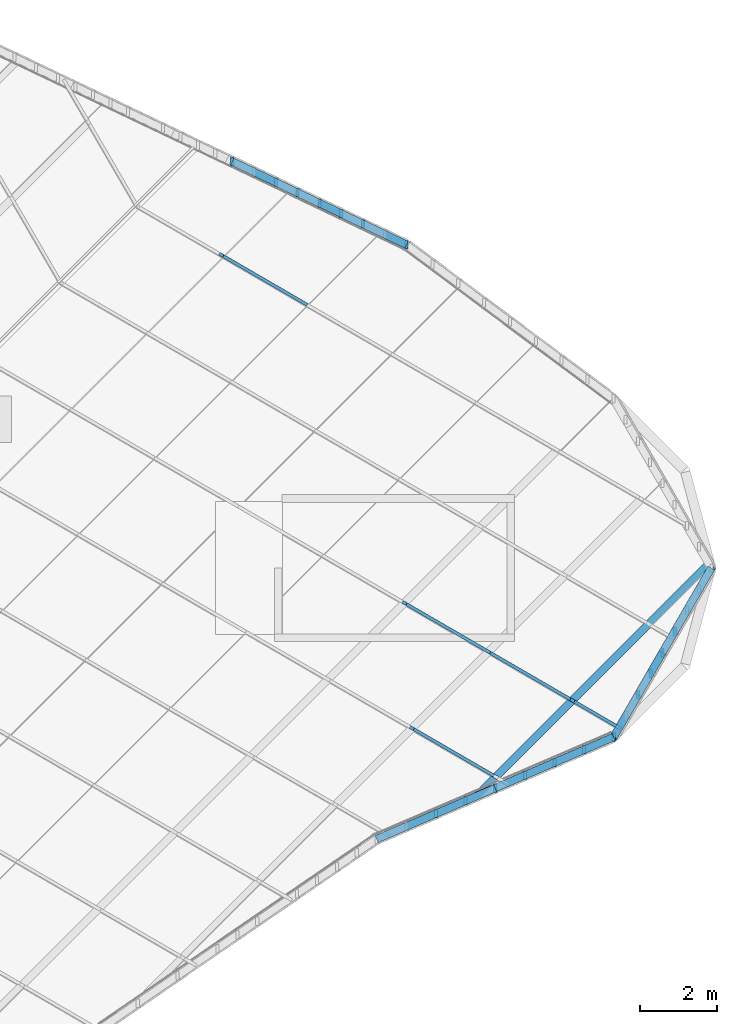
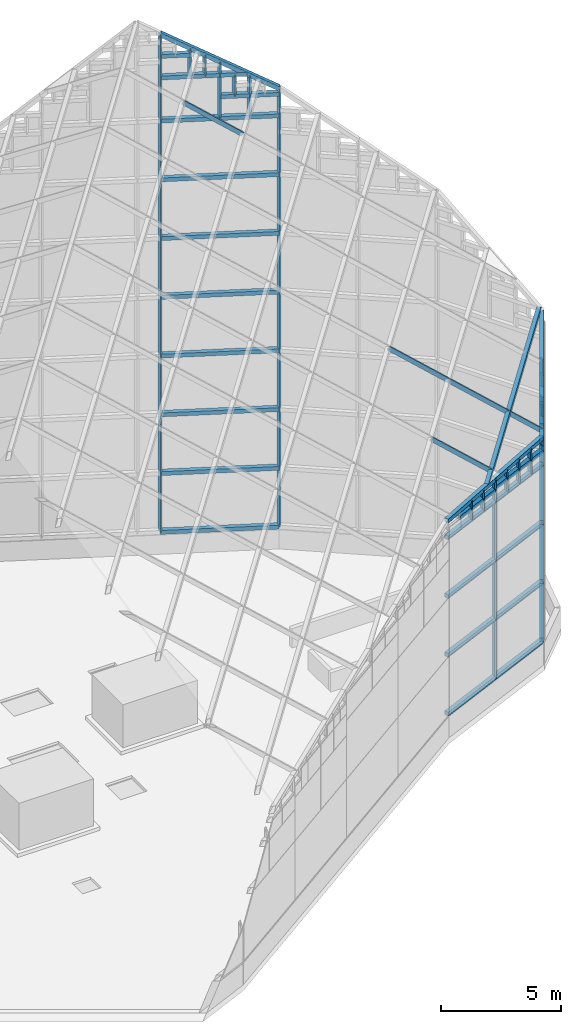
# One storey, part 6 of 29: 63 members, 1 element without a shape of its own.
"""IFC4 building model written with IfcOpenShell, lengths in metres."""

from ifc_helpers import new_model, si_unit, direction, frame, origin, origin_2d, place, context, subcontext, project, spatial, rectangle, extrude, material, material_profile, profile_set, type_object, element, aggregate, save


model = new_model("IFC4")

# Units and contexts
model_context = context("Model", 3, precision=1e-05, world=origin(), true_north=direction((0.0, 1.0)))
body_context = subcontext(model_context, "Body", "Model", "MODEL_VIEW")
ifc_project = project(units=[si_unit("LENGTHUNIT", "METRE"), si_unit("AREAUNIT", "SQUARE_METRE"), si_unit("VOLUMEUNIT", "CUBIC_METRE"), si_unit("PLANEANGLEUNIT", "RADIAN"), si_unit("MASSUNIT", "GRAM", prefix="KILO")], contexts=[model_context])

# Site, building, storey
site_placement = place(None, origin())
site = spatial("IfcSite", under=ifc_project, at=site_placement, CompositionType="ELEMENT")
building_placement = place(site_placement, origin())
building = spatial("IfcBuilding", under=site, at=building_placement, Name="Tanit Gate Tower", CompositionType="ELEMENT")
storey_placement = place(building_placement, frame((0.0, 0.0, 445.300048828125)))
storey = spatial("IfcBuildingStorey", under=building, at=storey_placement, Name="ROOF", CompositionType="ELEMENT", Elevation=445.300048828125)

# Curtain wall, members
ifc_material_1 = material(Name="Aluminium bronze anodised and glass", Category="aluminium")
curtain_wall_type = type_object("IfcCurtainWallType", Name="Curtain wall crown roof", PredefinedType="NOTDEFINED", material=ifc_material_1)
curtain_wall_placement = place(storey_placement, origin())
curtain_wall = element("IfcCurtainWall", 1, at=curtain_wall_placement, inside=storey, type_object=curtain_wall_type, Name="Crown lantern", PredefinedType="NOTDEFINED")
ifc_material_2 = material(Name="Aluminium bronze anodised", Category="aluminium")
ifc_material_profile_1 = material_profile(ifc_material_2, rectangle(XDim=0.080078125, YDim=0.219970703125, at=origin_2d()), Name="80x220 bronze rafter")
ifc_profile_set_1 = profile_set([ifc_material_profile_1], Name="Aluminium bronze anodised")
member_type_1 = type_object("IfcMemberType", Name="Mullion 80x220 crown roof", PredefinedType="MULLION", material=ifc_profile_set_1)
member_1_placement = place(storey_placement, frame((16.3125, 8.353271484375, 1.199951171875), z_axis=(0.0, 0.0, 1.0), x_axis=(1.0, 0.0, 0.0)))
member_1 = element("IfcMember", 2, at=member_1_placement, type_object=member_type_1, Name="Lantern mullion 3", PredefinedType="MULLION", context=body_context, shape_type="SweptSolid", body=[
    extrude(rectangle(XDim=0.080078125, YDim=0.219970703125, at=origin_2d()), origin(), (0.0, 0.0, 1.0), 22.3818359375),
])
member_2_placement = place(storey_placement, frame((11.80859375, 10.505126953125, 1.199951171875), z_axis=(0.0, 0.0, 1.0), x_axis=(1.0, 0.0, 0.0)))
member_2 = element("IfcMember", 3, at=member_2_placement, type_object=member_type_1, Name="Lantern mullion 4", PredefinedType="MULLION", context=body_context, shape_type="SweptSolid", body=[
    extrude(rectangle(XDim=0.080078125, YDim=0.219970703125, at=origin_2d()), origin(), (0.0, 0.0, 1.0), 25.407470703125),
])
member_3_placement = place(storey_placement, frame((18.601806640625, -5.68505859375, 1.199951171875), z_axis=(0.0, 0.0, 1.0), x_axis=(1.0, 0.0, 0.0)))
member_3 = element("IfcMember", 4, at=member_3_placement, type_object=member_type_1, Name="Lantern mullion 30", PredefinedType="MULLION", context=body_context, shape_type="SweptSolid", body=[
    extrude(rectangle(XDim=0.080078125, YDim=0.219970703125, at=origin_2d()), origin(), (0.0, 0.0, 1.0), 10.108154296875),
])
member_4_placement = place(storey_placement, frame((21.6640625, -4.364990234375, 1.199951171875), z_axis=(0.0, 0.0, 1.0), x_axis=(1.0, 0.0, 0.0)))
member_4 = element("IfcMember", 5, at=member_4_placement, type_object=member_type_1, Name="Lantern mullion 31", PredefinedType="MULLION", context=body_context, shape_type="SweptSolid", body=[
    extrude(rectangle(XDim=0.080078125, YDim=0.219970703125, at=origin_2d()), origin(), (0.0, 0.0, 1.0), 10.359130859375),
])
member_5_placement = place(storey_placement, frame((14.060546875, 9.42919921875, 22.199951171875), z_axis=(0.0, 0.0, 1.0), x_axis=(1.0, 0.0, 0.0)))
member_5 = element("IfcMember", 6, at=member_5_placement, type_object=member_type_1, Name="Lantern clerestory bar 3.8.1", PredefinedType="MULLION", context=body_context, shape_type="SweptSolid", body=[
    extrude(rectangle(XDim=0.080078125, YDim=0.219970703125, at=origin_2d()), origin(), (0.0, 0.0, 1.0), 2.89453125),
])
member_6_placement = place(storey_placement, frame((15.1865234375, 8.891357421875, 22.199951171875), z_axis=(0.0, 0.0, 1.0), x_axis=(1.0, 0.0, 0.0)))
member_6 = element("IfcMember", 7, at=member_6_placement, type_object=member_type_1, Name="Lantern clerestory bar 3.8.3", PredefinedType="MULLION", context=body_context, shape_type="SweptSolid", body=[
    extrude(rectangle(XDim=0.080078125, YDim=0.219970703125, at=origin_2d()), origin(), (0.0, 0.0, 1.0), 2.13818359375),
])
member_7_placement = place(storey_placement, frame((14.62353515625, 9.16015625, 23.3017578125), z_axis=(0.0, 0.0, 1.0), x_axis=(1.0, 0.0, 0.0)))
member_7 = element("IfcMember", 8, at=member_7_placement, type_object=member_type_1, Name="Lantern clerestory bar 3.8.8", PredefinedType="MULLION", context=body_context, shape_type="SweptSolid", body=[
    extrude(rectangle(XDim=0.080078125, YDim=0.219970703125, at=origin_2d()), origin(), (0.0, 0.0, 1.0), 1.101806640625),
])
member_8_placement = place(storey_placement, frame((12.9345703125, 9.967041015625, 24.403564453125), z_axis=(0.0, 0.0, 1.0), x_axis=(1.0, 0.0, 0.0)))
member_8 = element("IfcMember", 9, at=member_8_placement, type_object=member_type_1, Name="Lantern clerestory bar 3.8.11", PredefinedType="MULLION", context=body_context, shape_type="SweptSolid", body=[
    extrude(rectangle(XDim=0.080078125, YDim=0.219970703125, at=origin_2d()), origin(), (0.0, 0.0, 1.0), 1.447509765625),
])
member_9_placement = place(storey_placement, frame((13.49755859375, 9.6982421875, 24.403564453125), z_axis=(0.0, 0.0, 1.0), x_axis=(1.0, 0.0, 0.0)))
member_9 = element("IfcMember", 10, at=member_9_placement, type_object=member_type_1, Name="Lantern clerestory bar 3.8.13", PredefinedType="MULLION", context=body_context, shape_type="SweptSolid", body=[
    extrude(rectangle(XDim=0.080078125, YDim=0.219970703125, at=origin_2d()), origin(), (0.0, 0.0, 1.0), 1.069091796875),
])
member_10_placement = place(storey_placement, frame((17.07080078125, -6.344970703125, 10.199951171875), z_axis=(0.0, 0.0, 1.0), x_axis=(1.0, 0.0, 0.0)))
member_10 = element("IfcMember", 11, at=member_10_placement, type_object=member_type_1, Name="Lantern clerestory bar 29.4.1", PredefinedType="MULLION", context=body_context, shape_type="SweptSolid", body=[
    extrude(rectangle(XDim=0.080078125, YDim=0.219970703125, at=origin_2d()), origin(), (0.0, 0.0, 1.0), 0.982421875),
])
member_11_placement = place(storey_placement, frame((17.836181640625, -6.014892578125, 10.199951171875), z_axis=(0.0, 0.0, 1.0), x_axis=(1.0, 0.0, 0.0)))
member_11 = element("IfcMember", 12, at=member_11_placement, type_object=member_type_1, Name="Lantern clerestory bar 29.4.5", PredefinedType="MULLION", context=body_context, shape_type="SweptSolid", body=[
    extrude(rectangle(XDim=0.080078125, YDim=0.219970703125, at=origin_2d()), origin(), (0.0, 0.0, 1.0), 1.045166015625),
])
member_12_placement = place(storey_placement, frame((20.1328125, -5.02490234375, 10.199951171875), z_axis=(0.0, 0.0, 1.0), x_axis=(1.0, 0.0, 0.0)))
member_12 = element("IfcMember", 13, at=member_12_placement, type_object=member_type_1, Name="Lantern clerestory bar 30.4.1", PredefinedType="MULLION", context=body_context, shape_type="SweptSolid", body=[
    extrude(rectangle(XDim=0.080078125, YDim=0.219970703125, at=origin_2d()), origin(), (0.0, 0.0, 1.0), 1.233642578125),
])
member_13_placement = place(storey_placement, frame((19.367431640625, -5.35498046875, 10.199951171875), z_axis=(0.0, 0.0, 1.0), x_axis=(1.0, 0.0, 0.0)))
member_13 = element("IfcMember", 14, at=member_13_placement, type_object=member_type_1, Name="Lantern clerestory bar 30.4.2", PredefinedType="MULLION", context=body_context, shape_type="SweptSolid", body=[
    extrude(rectangle(XDim=0.080078125, YDim=0.219970703125, at=origin_2d()), origin(), (0.0, 0.0, 1.0), 1.1708984375),
])
member_14_placement = place(storey_placement, frame((20.8984375, -4.69482421875, 10.199951171875), z_axis=(0.0, 0.0, 1.0), x_axis=(1.0, 0.0, 0.0)))
member_14 = element("IfcMember", 15, at=member_14_placement, type_object=member_type_1, Name="Lantern clerestory bar 30.4.5", PredefinedType="MULLION", context=body_context, shape_type="SweptSolid", body=[
    extrude(rectangle(XDim=0.080078125, YDim=0.219970703125, at=origin_2d()), origin(), (0.0, 0.0, 1.0), 1.29638671875),
])
member_15_placement = place(storey_placement, frame((22.925537109375, -2.182373046875, 10.199951171875), z_axis=(0.0, 0.0, 1.0), x_axis=(1.0, 0.0, 0.0)))
member_15 = element("IfcMember", 16, at=member_15_placement, type_object=member_type_1, Name="Lantern clerestory bar 31.4.1", PredefinedType="MULLION", context=body_context, shape_type="SweptSolid", body=[
    extrude(rectangle(XDim=0.080078125, YDim=0.219970703125, at=origin_2d()), origin(), (0.0, 0.0, 1.0), 2.82177734375),
])
member_16_placement = place(storey_placement, frame((22.294677734375, -3.273681640625, 10.199951171875), z_axis=(0.0, 0.0, 1.0), x_axis=(1.0, 0.0, 0.0)))
member_16 = element("IfcMember", 17, at=member_16_placement, type_object=member_type_1, Name="Lantern clerestory bar 31.4.3", PredefinedType="MULLION", context=body_context, shape_type="SweptSolid", body=[
    extrude(rectangle(XDim=0.080078125, YDim=0.219970703125, at=origin_2d()), origin(), (0.0, 0.0, 1.0), 2.09033203125),
])
member_17_placement = place(storey_placement, frame((22.610107421875, -2.72802734375, 11.27099609375), z_axis=(0.0, 0.0, 1.0), x_axis=(1.0, 0.0, 0.0)))
member_17 = element("IfcMember", 18, at=member_17_placement, type_object=member_type_1, Name="Lantern clerestory bar 31.4.8", PredefinedType="MULLION", context=body_context, shape_type="SweptSolid", body=[
    extrude(rectangle(XDim=0.080078125, YDim=0.219970703125, at=origin_2d()), origin(), (0.0, 0.0, 1.0), 1.071044921875),
])
member_18_placement = place(storey_placement, frame((23.24072265625, -1.63671875, 12.342041015625), z_axis=(0.0, 0.0, 1.0), x_axis=(1.0, 0.0, 0.0)))
member_18 = element("IfcMember", 19, at=member_18_placement, type_object=member_type_1, Name="Lantern clerestory bar 31.4.13", PredefinedType="MULLION", context=body_context, shape_type="SweptSolid", body=[
    extrude(rectangle(XDim=0.080078125, YDim=0.219970703125, at=origin_2d()), origin(), (0.0, 0.0, 1.0), 1.045166015625),
])
member_19_placement = place(storey_placement, frame((16.448974609375, -4.135986328125, 13.185791015625), z_axis=(0.723494582662, -0.420098879156, -0.547788755444), x_axis=(0.502140210865, 0.864786221347, 0.0)))
member_19 = element("IfcMember", 20, at=member_19_placement, type_object=member_type_1, Name="Lantern rafter W12", PredefinedType="MULLION", context=body_context, shape_type="SweptSolid", body=[
    extrude(rectangle(XDim=0.080078125, YDim=0.219970703125, at=origin_2d()), origin(), (0.0, 0.0, 1.0), 3.0),
])
member_20_placement = place(storey_placement, frame((16.253662109375, -0.900390625, 15.923095703125), z_axis=(0.723533362745, -0.420074144471, -0.547756502602), x_axis=(0.502097972181, 0.864810745962, 0.0)))
member_20 = element("IfcMember", 21, at=member_20_placement, type_object=member_type_1, Name="Lantern rafter W13", PredefinedType="MULLION", context=body_context, shape_type="SweptSolid", body=[
    extrude(rectangle(XDim=0.080078125, YDim=0.219970703125, at=origin_2d()), origin(), (0.0, 0.0, 1.0), 3.0),
])
member_21_placement = place(storey_placement, frame((18.42431640625, -2.16064453125, 14.27978515625), z_axis=(0.723469846055, -0.420165895971, -0.547770026299), x_axis=(0.502212954116, 0.864743978712, 0.0)))
member_21 = element("IfcMember", 22, at=member_21_placement, type_object=member_type_1, Name="Lantern rafter W13", PredefinedType="MULLION", context=body_context, shape_type="SweptSolid", body=[
    extrude(rectangle(XDim=0.080078125, YDim=0.219970703125, at=origin_2d()), origin(), (0.0, 0.0, 1.0), 3.0),
])
member_22_placement = place(storey_placement, frame((20.5947265625, -3.421142578125, 12.636474609375), z_axis=(0.723533443272, -0.420064347619, -0.547763909295), x_axis=(0.502089172586, 0.864815854834, 0.0)))
member_22 = element("IfcMember", 23, at=member_22_placement, type_object=member_type_1, Name="Lantern rafter W13", PredefinedType="MULLION", context=body_context, shape_type="SweptSolid", body=[
    extrude(rectangle(XDim=0.080078125, YDim=0.219970703125, at=origin_2d()), origin(), (0.0, 0.0, 1.0), 1.6708984375),
])
member_23_placement = place(storey_placement, frame((11.522216796875, 8.09130859375, 24.6845703125), z_axis=(0.723462328546, -0.420080150726, -0.54784571381), x_axis=(0.502140210865, 0.864786221347, 0.0)))
member_23 = element("IfcMember", 24, at=member_23_placement, type_object=member_type_1, Name="Lantern rafter W15", PredefinedType="MULLION", context=body_context, shape_type="SweptSolid", body=[
    extrude(rectangle(XDim=0.080078125, YDim=0.219970703125, at=origin_2d()), origin(), (0.0, 0.0, 1.0), 3.0),
])
ifc_material_3 = material(Name="Aluminium bronze anodised", Category="aluminium")
ifc_material_profile_2 = material_profile(ifc_material_3, rectangle(XDim=0.199951171875, YDim=0.199951171875, at=origin_2d()), Name="200x200 bronze transom")
ifc_profile_set_2 = profile_set([ifc_material_profile_2], Name="Aluminium bronze anodised")
member_type_2 = type_object("IfcMemberType", Name="Transom 200x200 crown roof", PredefinedType="USERDEFINED", material=ifc_profile_set_2)
member_24_placement = place(storey_placement, frame((16.3125, 8.353271484375, 1.199951171875), z_axis=(-0.902304661425, 0.431098942205, 0.0), x_axis=(-0.431098942205, -0.902304661425, 0.0)))
member_24 = element("IfcMember", 25, at=member_24_placement, type_object=member_type_2, Name="Lantern eave beam 3", ObjectType="TRANSOM", PredefinedType="USERDEFINED", context=body_context, shape_type="SweptSolid", body=[
    extrude(rectangle(XDim=0.199951171875, YDim=0.199951171875, at=origin_2d()), origin(), (0.0, 0.0, 1.0), 4.991455078125),
])
member_25_placement = place(storey_placement, frame((16.3125, 8.353271484375, 23.581787109375), z_axis=(-0.771618293723, 0.368660214705, 0.518357844434), x_axis=(-0.431098942205, -0.902304661425, 0.0)))
member_25 = element("IfcMember", 26, at=member_25_placement, type_object=member_type_2, Name="Lantern edge beam 3", ObjectType="TRANSOM", PredefinedType="USERDEFINED", context=body_context, shape_type="SweptSolid", body=[
    extrude(rectangle(XDim=0.199951171875, YDim=0.199951171875, at=origin_2d()), origin(), (0.0, 0.0, 1.0), 5.8369140625),
])
member_26_placement = place(storey_placement, frame((15.53955078125, -7.005126953125, 1.199951171875), z_axis=(0.918309861651, 0.395862347281, 0.0), x_axis=(-0.395862347281, 0.918309861651, 0.0)))
member_26 = element("IfcMember", 27, at=member_26_placement, type_object=member_type_2, Name="Lantern eave beam 29", ObjectType="TRANSOM", PredefinedType="USERDEFINED", context=body_context, shape_type="SweptSolid", body=[
    extrude(rectangle(XDim=0.199951171875, YDim=0.199951171875, at=origin_2d()), origin(), (0.0, 0.0, 1.0), 3.334716796875),
])
member_27_placement = place(storey_placement, frame((15.53955078125, -7.005126953125, 11.056884765625), z_axis=(0.915714954595, 0.394743742286, 0.075123231147), x_axis=(-0.395862347281, 0.918309861651, 0.0)))
member_27 = element("IfcMember", 28, at=member_27_placement, type_object=member_type_2, Name="Lantern edge beam 29", ObjectType="TRANSOM", PredefinedType="USERDEFINED", context=body_context, shape_type="SweptSolid", body=[
    extrude(rectangle(XDim=0.199951171875, YDim=0.199951171875, at=origin_2d()), origin(), (0.0, 0.0, 1.0), 3.343994140625),
])
member_28_placement = place(storey_placement, frame((18.601806640625, -5.68505859375, 1.199951171875), z_axis=(0.918309861651, 0.395862347281, 0.0), x_axis=(-0.395862347281, 0.918309861651, 0.0)))
member_28 = element("IfcMember", 29, at=member_28_placement, type_object=member_type_2, Name="Lantern eave beam 30", ObjectType="TRANSOM", PredefinedType="USERDEFINED", context=body_context, shape_type="SweptSolid", body=[
    extrude(rectangle(XDim=0.199951171875, YDim=0.199951171875, at=origin_2d()), origin(), (0.0, 0.0, 1.0), 3.334716796875),
])
member_29_placement = place(storey_placement, frame((18.601806640625, -5.68505859375, 11.30810546875), z_axis=(0.915719974389, 0.394745906204, 0.075050636504), x_axis=(-0.395862347281, 0.918309861651, 0.0)))
member_29 = element("IfcMember", 30, at=member_29_placement, type_object=member_type_2, Name="Lantern edge beam 30", ObjectType="TRANSOM", PredefinedType="USERDEFINED", context=body_context, shape_type="SweptSolid", body=[
    extrude(rectangle(XDim=0.199951171875, YDim=0.199951171875, at=origin_2d()), origin(), (0.0, 0.0, 1.0), 3.343994140625),
])
member_30_placement = place(storey_placement, frame((21.6640625, -4.364990234375, 1.199951171875), z_axis=(0.500383284559, 0.865804001223, 0.0), x_axis=(-0.865804001223, 0.500383284559, 0.0)))
member_30 = element("IfcMember", 31, at=member_30_placement, type_object=member_type_2, Name="Lantern eave beam 31", ObjectType="TRANSOM", PredefinedType="USERDEFINED", context=body_context, shape_type="SweptSolid", body=[
    extrude(rectangle(XDim=0.199951171875, YDim=0.199951171875, at=origin_2d()), origin(), (0.0, 0.0, 1.0), 5.04150390625),
])
member_31_placement = place(storey_placement, frame((21.6640625, -4.364990234375, 11.55908203125), z_axis=(0.432811656077, 0.748886054293, 0.501840361121), x_axis=(-0.865804001223, 0.500383284559, 0.0)))
member_31 = element("IfcMember", 32, at=member_31_placement, type_object=member_type_2, Name="Lantern edge beam 31", ObjectType="TRANSOM", PredefinedType="USERDEFINED", context=body_context, shape_type="SweptSolid", body=[
    extrude(rectangle(XDim=0.199951171875, YDim=0.199951171875, at=origin_2d()), origin(), (0.0, 0.0, 1.0), 5.82861328125),
])
member_32_placement = place(storey_placement, frame((16.3125, 8.353271484375, 4.199951171875), z_axis=(-0.902304661425, 0.431098942205, 0.0), x_axis=(-0.431098942205, -0.902304661425, 0.0)))
member_32 = element("IfcMember", 33, at=member_32_placement, type_object=member_type_2, Name="Lantern clerestory transom 3.1", ObjectType="TRANSOM", PredefinedType="USERDEFINED", context=body_context, shape_type="SweptSolid", body=[
    extrude(rectangle(XDim=0.199951171875, YDim=0.199951171875, at=origin_2d()), origin(), (0.0, 0.0, 1.0), 4.991455078125),
])
member_33_placement = place(storey_placement, frame((16.3125, 8.353271484375, 7.199951171875), z_axis=(-0.902304661425, 0.431098942205, 0.0), x_axis=(-0.431098942205, -0.902304661425, 0.0)))
member_33 = element("IfcMember", 34, at=member_33_placement, type_object=member_type_2, Name="Lantern clerestory transom 3.2", ObjectType="TRANSOM", PredefinedType="USERDEFINED", context=body_context, shape_type="SweptSolid", body=[
    extrude(rectangle(XDim=0.199951171875, YDim=0.199951171875, at=origin_2d()), origin(), (0.0, 0.0, 1.0), 4.991455078125),
])
member_34_placement = place(storey_placement, frame((16.3125, 8.353271484375, 10.199951171875), z_axis=(-0.902304661425, 0.431098942205, 0.0), x_axis=(-0.431098942205, -0.902304661425, 0.0)))
member_34 = element("IfcMember", 35, at=member_34_placement, type_object=member_type_2, Name="Lantern clerestory transom 3.3", ObjectType="TRANSOM", PredefinedType="USERDEFINED", context=body_context, shape_type="SweptSolid", body=[
    extrude(rectangle(XDim=0.199951171875, YDim=0.199951171875, at=origin_2d()), origin(), (0.0, 0.0, 1.0), 4.991455078125),
])
member_35_placement = place(storey_placement, frame((16.3125, 8.353271484375, 13.199951171875), z_axis=(-0.902304661425, 0.431098942205, 0.0), x_axis=(-0.431098942205, -0.902304661425, 0.0)))
member_35 = element("IfcMember", 36, at=member_35_placement, type_object=member_type_2, Name="Lantern clerestory transom 3.4", ObjectType="TRANSOM", PredefinedType="USERDEFINED", context=body_context, shape_type="SweptSolid", body=[
    extrude(rectangle(XDim=0.199951171875, YDim=0.199951171875, at=origin_2d()), origin(), (0.0, 0.0, 1.0), 4.991455078125),
])
member_36_placement = place(storey_placement, frame((16.3125, 8.353271484375, 16.199951171875), z_axis=(-0.902304661425, 0.431098942205, 0.0), x_axis=(-0.431098942205, -0.902304661425, 0.0)))
member_36 = element("IfcMember", 37, at=member_36_placement, type_object=member_type_2, Name="Lantern clerestory transom 3.5", ObjectType="TRANSOM", PredefinedType="USERDEFINED", context=body_context, shape_type="SweptSolid", body=[
    extrude(rectangle(XDim=0.199951171875, YDim=0.199951171875, at=origin_2d()), origin(), (0.0, 0.0, 1.0), 4.991455078125),
])
member_37_placement = place(storey_placement, frame((16.3125, 8.353271484375, 19.199951171875), z_axis=(-0.902304661425, 0.431098942205, 0.0), x_axis=(-0.431098942205, -0.902304661425, 0.0)))
member_37 = element("IfcMember", 38, at=member_37_placement, type_object=member_type_2, Name="Lantern clerestory transom 3.6", ObjectType="TRANSOM", PredefinedType="USERDEFINED", context=body_context, shape_type="SweptSolid", body=[
    extrude(rectangle(XDim=0.199951171875, YDim=0.199951171875, at=origin_2d()), origin(), (0.0, 0.0, 1.0), 4.991455078125),
])
member_38_placement = place(storey_placement, frame((16.3125, 8.353271484375, 22.199951171875), z_axis=(-0.902304661425, 0.431098942205, 0.0), x_axis=(-0.431098942205, -0.902304661425, 0.0)))
member_38 = element("IfcMember", 39, at=member_38_placement, type_object=member_type_2, Name="Lantern clerestory transom 3.7", ObjectType="TRANSOM", PredefinedType="USERDEFINED", context=body_context, shape_type="SweptSolid", body=[
    extrude(rectangle(XDim=0.199951171875, YDim=0.199951171875, at=origin_2d()), origin(), (0.0, 0.0, 1.0), 4.991455078125),
])
member_39_placement = place(storey_placement, frame((15.089111328125, 8.937744140625, 24.403564453125), z_axis=(-0.90229363348, 0.431122023308, 0.0), x_axis=(-0.431122023308, -0.90229363348, 0.0)))
member_39 = element("IfcMember", 40, at=member_39_placement, type_object=member_type_2, Name="Lantern clerestory bar 3.8.2", ObjectType="TRANSOM", PredefinedType="USERDEFINED", context=body_context, shape_type="SweptSolid", body=[
    extrude(rectangle(XDim=0.199951171875, YDim=0.199951171875, at=origin_2d()), origin(), (0.0, 0.0, 1.0), 1.139892578125),
])
member_40_placement = place(storey_placement, frame((16.3125, 8.353271484375, 23.3017578125), z_axis=(-0.902266608691, 0.431178578828, 0.0), x_axis=(-0.431178578828, -0.902266608691, 0.0)))
member_40 = element("IfcMember", 41, at=member_40_placement, type_object=member_type_2, Name="Lantern clerestory bar 3.8.4", ObjectType="TRANSOM", PredefinedType="USERDEFINED", context=body_context, shape_type="SweptSolid", body=[
    extrude(rectangle(XDim=0.199951171875, YDim=0.199951171875, at=origin_2d()), origin(), (0.0, 0.0, 1.0), 1.248046875),
])
member_41_placement = place(storey_placement, frame((15.1865234375, 8.891357421875, 23.3017578125), z_axis=(-0.902342710339, 0.431019295506, 0.0), x_axis=(-0.431019295506, -0.902342710339, 0.0)))
member_41 = element("IfcMember", 42, at=member_41_placement, type_object=member_type_2, Name="Lantern clerestory bar 3.8.7", ObjectType="TRANSOM", PredefinedType="USERDEFINED", context=body_context, shape_type="SweptSolid", body=[
    extrude(rectangle(XDim=0.199951171875, YDim=0.199951171875, at=origin_2d()), origin(), (0.0, 0.0, 1.0), 1.247802734375),
])
member_42_placement = place(storey_placement, frame((14.060546875, 9.42919921875, 24.403564453125), z_axis=(-0.902304661425, 0.431098942205, 0.0), x_axis=(-0.431098942205, -0.902304661425, 0.0)))
member_42 = element("IfcMember", 43, at=member_42_placement, type_object=member_type_2, Name="Lantern clerestory bar 3.8.10", ObjectType="TRANSOM", PredefinedType="USERDEFINED", context=body_context, shape_type="SweptSolid", body=[
    extrude(rectangle(XDim=0.199951171875, YDim=0.199951171875, at=origin_2d()), origin(), (0.0, 0.0, 1.0), 2.495849609375),
])
member_43_placement = place(storey_placement, frame((12.9345703125, 9.967041015625, 25.505615234375), z_axis=(-0.902266608691, 0.431178578828, 0.0), x_axis=(-0.431178578828, -0.902266608691, 0.0)))
member_43 = element("IfcMember", 44, at=member_43_placement, type_object=member_type_2, Name="Lantern clerestory bar 3.8.16", ObjectType="TRANSOM", PredefinedType="USERDEFINED", context=body_context, shape_type="SweptSolid", body=[
    extrude(rectangle(XDim=0.199951171875, YDim=0.199951171875, at=origin_2d()), origin(), (0.0, 0.0, 1.0), 1.248046875),
])
member_44_placement = place(storey_placement, frame((15.53955078125, -7.005126953125, 4.199951171875), z_axis=(0.918309861651, 0.395862347281, 0.0), x_axis=(-0.395862347281, 0.918309861651, 0.0)))
member_44 = element("IfcMember", 45, at=member_44_placement, type_object=member_type_2, Name="Lantern clerestory transom 29.1", ObjectType="TRANSOM", PredefinedType="USERDEFINED", context=body_context, shape_type="SweptSolid", body=[
    extrude(rectangle(XDim=0.199951171875, YDim=0.199951171875, at=origin_2d()), origin(), (0.0, 0.0, 1.0), 3.334716796875),
])
member_45_placement = place(storey_placement, frame((15.53955078125, -7.005126953125, 7.199951171875), z_axis=(0.918309861651, 0.395862347281, 0.0), x_axis=(-0.395862347281, 0.918309861651, 0.0)))
member_45 = element("IfcMember", 46, at=member_45_placement, type_object=member_type_2, Name="Lantern clerestory transom 29.2", ObjectType="TRANSOM", PredefinedType="USERDEFINED", context=body_context, shape_type="SweptSolid", body=[
    extrude(rectangle(XDim=0.199951171875, YDim=0.199951171875, at=origin_2d()), origin(), (0.0, 0.0, 1.0), 3.334716796875),
])
member_46_placement = place(storey_placement, frame((15.53955078125, -7.005126953125, 10.199951171875), z_axis=(0.918309861651, 0.395862347281, 0.0), x_axis=(-0.395862347281, 0.918309861651, 0.0)))
member_46 = element("IfcMember", 47, at=member_46_placement, type_object=member_type_2, Name="Lantern clerestory transom 29.3", ObjectType="TRANSOM", PredefinedType="USERDEFINED", context=body_context, shape_type="SweptSolid", body=[
    extrude(rectangle(XDim=0.199951171875, YDim=0.199951171875, at=origin_2d()), origin(), (0.0, 0.0, 1.0), 3.334716796875),
])
member_47_placement = place(storey_placement, frame((16.30517578125, -6.675048828125, 10.75390625), z_axis=(0.918294720734, 0.395897468888, 0.0), x_axis=(-0.395897468888, 0.918294720734, 0.0)))
member_47 = element("IfcMember", 48, at=member_47_placement, type_object=member_type_2, Name="Lantern clerestory bar 29.4.4", ObjectType="TRANSOM", PredefinedType="USERDEFINED", context=body_context, shape_type="SweptSolid", body=[
    extrude(rectangle(XDim=0.199951171875, YDim=0.199951171875, at=origin_2d()), origin(), (0.0, 0.0, 1.0), 0.833740234375),
])
member_48_placement = place(storey_placement, frame((17.07080078125, -6.344970703125, 10.75390625), z_axis=(0.91824880657, 0.396003951031, 0.0), x_axis=(-0.396003951031, 0.91824880657, 0.0)))
member_48 = element("IfcMember", 49, at=member_48_placement, type_object=member_type_2, Name="Lantern clerestory bar 29.4.6", ObjectType="TRANSOM", PredefinedType="USERDEFINED", context=body_context, shape_type="SweptSolid", body=[
    extrude(rectangle(XDim=0.199951171875, YDim=0.199951171875, at=origin_2d()), origin(), (0.0, 0.0, 1.0), 0.83349609375),
])
member_49_placement = place(storey_placement, frame((17.836181640625, -6.014892578125, 10.75390625), z_axis=(0.918401156038, 0.395650498025, 0.0), x_axis=(-0.395650498025, 0.918401156038, 0.0)))
member_49 = element("IfcMember", 50, at=member_49_placement, type_object=member_type_2, Name="Lantern clerestory bar 29.4.7", ObjectType="TRANSOM", PredefinedType="USERDEFINED", context=body_context, shape_type="SweptSolid", body=[
    extrude(rectangle(XDim=0.199951171875, YDim=0.199951171875, at=origin_2d()), origin(), (0.0, 0.0, 1.0), 0.833740234375),
])
member_50_placement = place(storey_placement, frame((18.601806640625, -5.68505859375, 4.199951171875), z_axis=(0.918309861651, 0.395862347281, 0.0), x_axis=(-0.395862347281, 0.918309861651, 0.0)))
member_50 = element("IfcMember", 51, at=member_50_placement, type_object=member_type_2, Name="Lantern clerestory transom 30.1", ObjectType="TRANSOM", PredefinedType="USERDEFINED", context=body_context, shape_type="SweptSolid", body=[
    extrude(rectangle(XDim=0.199951171875, YDim=0.199951171875, at=origin_2d()), origin(), (0.0, 0.0, 1.0), 3.334716796875),
])
member_51_placement = place(storey_placement, frame((18.601806640625, -5.68505859375, 7.199951171875), z_axis=(0.918309861651, 0.395862347281, 0.0), x_axis=(-0.395862347281, 0.918309861651, 0.0)))
member_51 = element("IfcMember", 52, at=member_51_placement, type_object=member_type_2, Name="Lantern clerestory transom 30.2", ObjectType="TRANSOM", PredefinedType="USERDEFINED", context=body_context, shape_type="SweptSolid", body=[
    extrude(rectangle(XDim=0.199951171875, YDim=0.199951171875, at=origin_2d()), origin(), (0.0, 0.0, 1.0), 3.334716796875),
])
member_52_placement = place(storey_placement, frame((18.601806640625, -5.68505859375, 10.199951171875), z_axis=(0.918309861651, 0.395862347281, 0.0), x_axis=(-0.395862347281, 0.918309861651, 0.0)))
member_52 = element("IfcMember", 53, at=member_52_placement, type_object=member_type_2, Name="Lantern clerestory transom 30.3", ObjectType="TRANSOM", PredefinedType="USERDEFINED", context=body_context, shape_type="SweptSolid", body=[
    extrude(rectangle(XDim=0.199951171875, YDim=0.199951171875, at=origin_2d()), origin(), (0.0, 0.0, 1.0), 3.334716796875),
])
member_53_placement = place(storey_placement, frame((18.601806640625, -5.68505859375, 10.879638671875), z_axis=(0.918294720734, 0.395897468888, 0.0), x_axis=(-0.395897468888, 0.918294720734, 0.0)))
member_53 = element("IfcMember", 54, at=member_53_placement, type_object=member_type_2, Name="Lantern clerestory bar 30.4.3", ObjectType="TRANSOM", PredefinedType="USERDEFINED", context=body_context, shape_type="SweptSolid", body=[
    extrude(rectangle(XDim=0.199951171875, YDim=0.199951171875, at=origin_2d()), origin(), (0.0, 0.0, 1.0), 0.833740234375),
])
member_54_placement = place(storey_placement, frame((19.367431640625, -5.35498046875, 10.879638671875), z_axis=(0.91824880657, 0.396003951031, 0.0), x_axis=(-0.396003951031, 0.91824880657, 0.0)))
member_54 = element("IfcMember", 55, at=member_54_placement, type_object=member_type_2, Name="Lantern clerestory bar 30.4.4", ObjectType="TRANSOM", PredefinedType="USERDEFINED", context=body_context, shape_type="SweptSolid", body=[
    extrude(rectangle(XDim=0.199951171875, YDim=0.199951171875, at=origin_2d()), origin(), (0.0, 0.0, 1.0), 0.83349609375),
])
member_55_placement = place(storey_placement, frame((20.1328125, -5.02490234375, 10.879638671875), z_axis=(0.918294720734, 0.395897468888, 0.0), x_axis=(-0.395897468888, 0.918294720734, 0.0)))
member_55 = element("IfcMember", 56, at=member_55_placement, type_object=member_type_2, Name="Lantern clerestory bar 30.4.6", ObjectType="TRANSOM", PredefinedType="USERDEFINED", context=body_context, shape_type="SweptSolid", body=[
    extrude(rectangle(XDim=0.199951171875, YDim=0.199951171875, at=origin_2d()), origin(), (0.0, 0.0, 1.0), 0.833740234375),
])
member_56_placement = place(storey_placement, frame((20.8984375, -4.69482421875, 10.879638671875), z_axis=(0.918401156038, 0.395650498025, 0.0), x_axis=(-0.395650498025, 0.918401156038, 0.0)))
member_56 = element("IfcMember", 57, at=member_56_placement, type_object=member_type_2, Name="Lantern clerestory bar 30.4.7", ObjectType="TRANSOM", PredefinedType="USERDEFINED", context=body_context, shape_type="SweptSolid", body=[
    extrude(rectangle(XDim=0.199951171875, YDim=0.199951171875, at=origin_2d()), origin(), (0.0, 0.0, 1.0), 0.833740234375),
])
member_57_placement = place(storey_placement, frame((21.6640625, -4.364990234375, 4.199951171875), z_axis=(0.500383284559, 0.865804001223, 0.0), x_axis=(-0.865804001223, 0.500383284559, 0.0)))
member_57 = element("IfcMember", 58, at=member_57_placement, type_object=member_type_2, Name="Lantern clerestory transom 31.1", ObjectType="TRANSOM", PredefinedType="USERDEFINED", context=body_context, shape_type="SweptSolid", body=[
    extrude(rectangle(XDim=0.199951171875, YDim=0.199951171875, at=origin_2d()), origin(), (0.0, 0.0, 1.0), 5.04150390625),
])
member_58_placement = place(storey_placement, frame((21.6640625, -4.364990234375, 7.199951171875), z_axis=(0.500383284559, 0.865804001223, 0.0), x_axis=(-0.865804001223, 0.500383284559, 0.0)))
member_58 = element("IfcMember", 59, at=member_58_placement, type_object=member_type_2, Name="Lantern clerestory transom 31.2", ObjectType="TRANSOM", PredefinedType="USERDEFINED", context=body_context, shape_type="SweptSolid", body=[
    extrude(rectangle(XDim=0.199951171875, YDim=0.199951171875, at=origin_2d()), origin(), (0.0, 0.0, 1.0), 5.04150390625),
])
member_59_placement = place(storey_placement, frame((21.6640625, -4.364990234375, 10.199951171875), z_axis=(0.500383284559, 0.865804001223, 0.0), x_axis=(-0.865804001223, 0.500383284559, 0.0)))
member_59 = element("IfcMember", 60, at=member_59_placement, type_object=member_type_2, Name="Lantern clerestory transom 31.3", ObjectType="TRANSOM", PredefinedType="USERDEFINED", context=body_context, shape_type="SweptSolid", body=[
    extrude(rectangle(XDim=0.199951171875, YDim=0.199951171875, at=origin_2d()), origin(), (0.0, 0.0, 1.0), 5.04150390625),
])
member_60_placement = place(storey_placement, frame((22.33935546875, -3.196533203125, 12.342041015625), z_axis=(0.500419959724, 0.86578280412, 0.0), x_axis=(-0.86578280412, 0.500419959724, 0.0)))
member_60 = element("IfcMember", 61, at=member_60_placement, type_object=member_type_2, Name="Lantern clerestory bar 31.4.2", ObjectType="TRANSOM", PredefinedType="USERDEFINED", context=body_context, shape_type="SweptSolid", body=[
    extrude(rectangle(XDim=0.199951171875, YDim=0.199951171875, at=origin_2d()), origin(), (0.0, 0.0, 1.0), 1.17138671875),
])
member_61_placement = place(storey_placement, frame((21.6640625, -4.364990234375, 11.27099609375), z_axis=(0.500326004058, 0.865837103423, 0.0), x_axis=(-0.865837103423, 0.500326004058, 0.0)))
member_61 = element("IfcMember", 62, at=member_61_placement, type_object=member_type_2, Name="Lantern clerestory bar 31.4.4", ObjectType="TRANSOM", PredefinedType="USERDEFINED", context=body_context, shape_type="SweptSolid", body=[
    extrude(rectangle(XDim=0.199951171875, YDim=0.199951171875, at=origin_2d()), origin(), (0.0, 0.0, 1.0), 1.260498046875),
])
member_62_placement = place(storey_placement, frame((22.294677734375, -3.273681640625, 11.27099609375), z_axis=(0.500471194464, 0.865753188566, 0.0), x_axis=(-0.865753188566, 0.500471194464, 0.0)))
member_62 = element("IfcMember", 63, at=member_62_placement, type_object=member_type_2, Name="Lantern clerestory bar 31.4.7", ObjectType="TRANSOM", PredefinedType="USERDEFINED", context=body_context, shape_type="SweptSolid", body=[
    extrude(rectangle(XDim=0.199951171875, YDim=0.199951171875, at=origin_2d()), origin(), (0.0, 0.0, 1.0), 1.260498046875),
])
member_63_placement = place(storey_placement, frame((18.12548828125, -5.890380859375, 11.26904296875), z_axis=(0.658404045118, 0.65843084219, 0.364654548066), x_axis=(-0.707121170385, 0.707092391696, 0.0)))
member_63 = element("IfcMember", 64, at=member_63_placement, type_object=member_type_2, Name="Lantern purlin W7", ObjectType="TRANSOM", PredefinedType="USERDEFINED", context=body_context, shape_type="SweptSolid", body=[
    extrude(rectangle(XDim=0.199951171875, YDim=0.199951171875, at=origin_2d()), origin(), (0.0, 0.0, 1.0), 9.11083984375),
])
aggregate(curtain_wall, [member_1, member_24, member_25, member_2, member_26, member_27, member_3, member_28, member_29, member_4, member_30, member_31, member_32, member_33, member_34, member_35, member_36, member_37, member_38, member_5, member_39, member_6, member_40, member_41, member_7, member_42, member_8, member_9, member_43, member_44, member_45, member_46, member_10, member_47, member_11, member_48, member_49, member_50, member_51, member_52, member_12, member_13, member_53, member_54, member_14, member_55, member_56, member_57, member_58, member_59, member_15, member_60, member_16, member_61, member_62, member_17, member_18, member_63, member_19, member_20, member_21, member_22, member_23])

save(model, "model.ifc")
